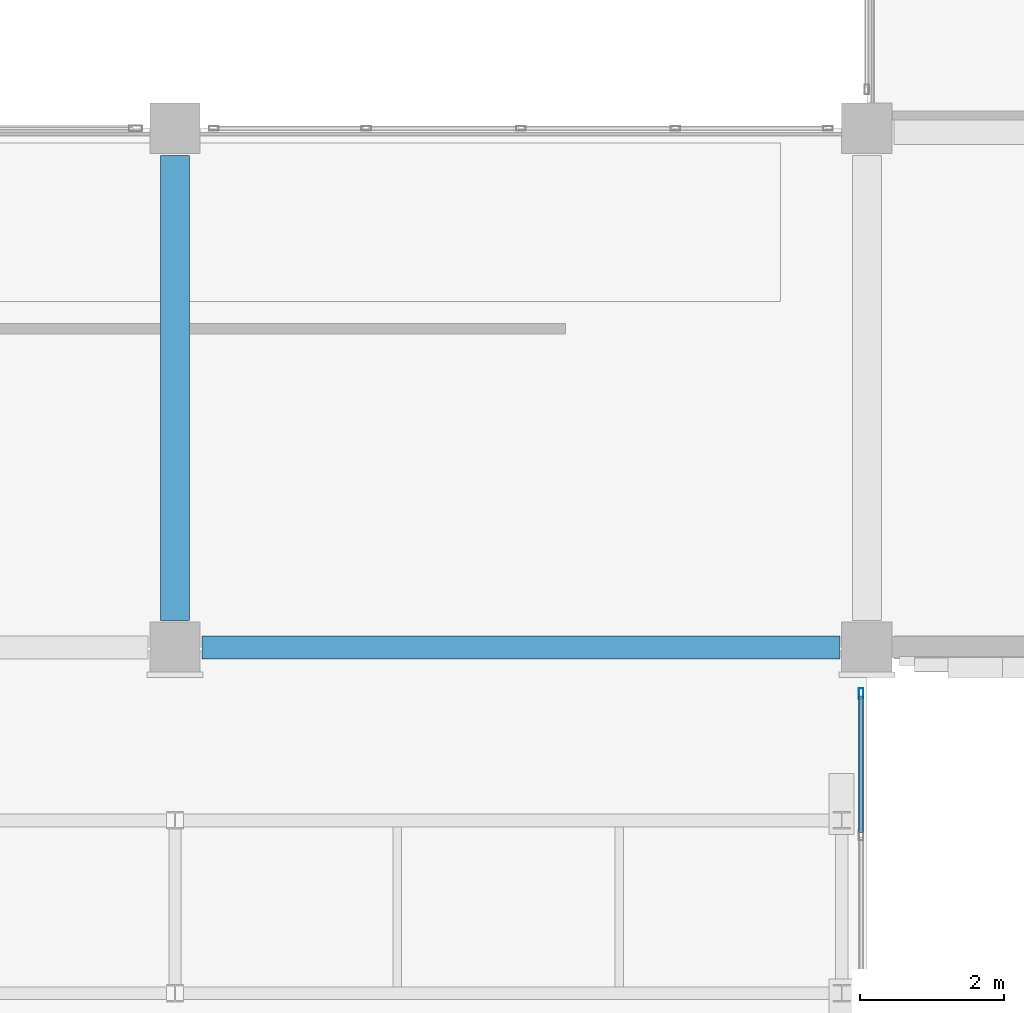
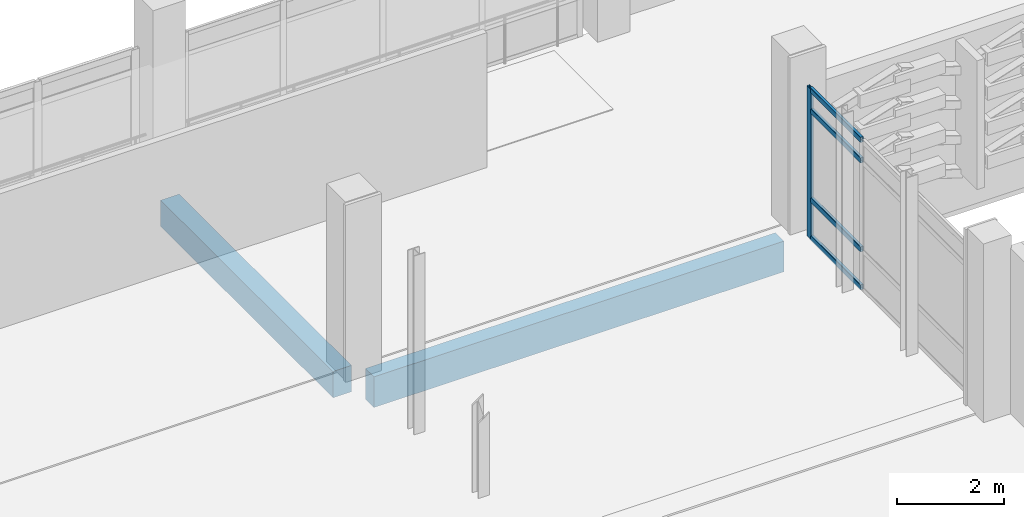
# One storey, part 39 of 134: 5 members, 2 beams, 1 element without a shape of its own.
"""IFC4 building model written with IfcOpenShell, lengths in metres."""

from ifc_helpers import new_model, si_unit, direction, frame, origin, origin_2d, place, context, subcontext, project, spatial, rectangle, hollow_rectangle, extrude, material, layer, layer_set, material_profile, profile_set, type_object, element, aggregate, save


model = new_model("IFC4")

# Units and contexts
model_context = context("Model", 3, precision=1e-05, world=origin(), true_north=direction((0.0, 1.0)))
body_context = subcontext(model_context, "Body", "Model", "MODEL_VIEW")
ifc_project = project(units=[si_unit("LENGTHUNIT", "METRE"), si_unit("AREAUNIT", "SQUARE_METRE"), si_unit("VOLUMEUNIT", "CUBIC_METRE"), si_unit("PLANEANGLEUNIT", "RADIAN"), si_unit("MASSUNIT", "GRAM", prefix="KILO")], contexts=[model_context])

# Site, building, storey
site_placement = place(None, origin())
site = spatial("IfcSite", under=ifc_project, at=site_placement, CompositionType="ELEMENT")
building_placement = place(site_placement, origin())
building = spatial("IfcBuilding", under=site, at=building_placement, Name="Asteropetra Specialist Clinic", CompositionType="ELEMENT")
storey_placement = place(building_placement, frame((0.0, 0.0, 8.5)))
storey = spatial("IfcBuildingStorey", under=building, at=storey_placement, Name="L02", CompositionType="ELEMENT", Elevation=8.5)

# Beam
ifc_material_1 = material(Name="Concrete C35/45", Category="concrete")
ifc_material_profile_1 = material_profile(ifc_material_1, rectangle(XDim=0.39990234375, YDim=0.60009765625, at=origin_2d()), Name="RCB 400x600")
ifc_profile_set_1 = profile_set([ifc_material_profile_1], Name="Concrete C35/45")
beam_type_1 = type_object("IfcBeamType", Name="BM-RC400x600", PredefinedType="BEAM", material=ifc_profile_set_1)
beam_1_placement = place(storey_placement, frame((19.199951171875, 69.97509765625, -0.580078125), z_axis=(0.0, 1.0, 0.0), x_axis=(-1.0, 0.0, 0.0)))
element("IfcBeam", 1, at=beam_1_placement, inside=storey, type_object=beam_type_1, Name="Beam BBM08-1272", PredefinedType="BEAM", context=body_context, shape_type="SweptSolid", body=[
    extrude(rectangle(XDim=0.39990234375, YDim=0.60009765625, at=origin_2d()), origin(), (0.0, 0.0, 1.0), 6.449951171875),
])

# Curtain wall, members
ifc_material_2 = material(Name="Aluminium and low-E glass", Category="aluminium")
ifc_layer = layer(ifc_material_2, 0.135009765625)
ifc_layer_set = layer_set([ifc_layer], Name="Aluminium and low-E glass")
curtain_wall_type = type_object("IfcCurtainWallType", Name="CW-SYS-09", PredefinedType="USERDEFINED", material=ifc_layer_set)
curtain_wall_placement = place(storey_placement, origin())
curtain_wall = element("IfcCurtainWall", 2, at=curtain_wall_placement, inside=storey, type_object=curtain_wall_type, Name="Curtain Wall CW-106", ObjectType="STICK GLAZED COLONNADE", PredefinedType="USERDEFINED")
ifc_material_3 = material(Name="Aluminium 6063-T6", Category="aluminium")
ifc_material_profile_2 = material_profile(ifc_material_3, hollow_rectangle(XDim=0.06494140625, YDim=0.14990234375, WallThickness=0.00390625, InnerFilletRadius=0.00390625, OuterFilletRadius=0.008056640625, at=origin_2d()), Name="MUL 150x65x4.0")
ifc_profile_set_2 = profile_set([ifc_material_profile_2], Name="Aluminium 6063-T6")
member_type_1 = type_object("IfcMemberType", Name="CWM-150x65", PredefinedType="MULLION", material=ifc_profile_set_2)
member_1_placement = place(storey_placement, frame((28.719970703125, 68.95751953125, 0.0), z_axis=(0.0, 0.0, 1.0), x_axis=(1.0, 0.0, 0.0)))
member_1 = element("IfcMember", 3, at=member_1_placement, type_object=member_type_1, Name="CW-106 mullion 1", PredefinedType="MULLION", context=body_context, shape_type="SweptSolid", body=[
    extrude(hollow_rectangle(XDim=0.06494140625, YDim=0.14990234375, WallThickness=0.00390625, InnerFilletRadius=0.00390625, OuterFilletRadius=0.008056640625, at=origin_2d()), origin(), (0.0, 0.0, 1.0), 3.429931640625),
])
ifc_material_4 = material(Name="Aluminium 6063-T6", Category="aluminium")
ifc_material_profile_3 = material_profile(ifc_material_4, hollow_rectangle(XDim=0.06494140625, YDim=0.1201171875, WallThickness=0.00390625, InnerFilletRadius=0.00390625, OuterFilletRadius=0.008056640625, at=origin_2d()), Name="TRN 120x65x4.0")
ifc_profile_set_3 = profile_set([ifc_material_profile_3], Name="Aluminium 6063-T6")
member_type_2 = type_object("IfcMemberType", Name="CWT-120x65", PredefinedType="USERDEFINED", material=ifc_profile_set_3)
member_2_placement = place(storey_placement, frame((28.719970703125, 68.925048828125, 0.032470703125), z_axis=(0.0, -1.0, 0.0), x_axis=(1.0, 0.0, 0.0)))
member_2 = element("IfcMember", 4, at=member_2_placement, type_object=member_type_2, Name="CW-106 transom 1.1", ObjectType="TRANSOM", PredefinedType="USERDEFINED", context=body_context, shape_type="SweptSolid", body=[
    extrude(hollow_rectangle(XDim=0.06494140625, YDim=0.1201171875, WallThickness=0.00390625, InnerFilletRadius=0.00390625, OuterFilletRadius=0.008056640625, at=origin_2d()), origin(), (0.0, 0.0, 1.0), 1.89599609375),
])
member_3_placement = place(storey_placement, frame((28.719970703125, 68.925048828125, 0.89990234375), z_axis=(0.0, -1.0, 0.0), x_axis=(1.0, 0.0, 0.0)))
member_3 = element("IfcMember", 5, at=member_3_placement, type_object=member_type_2, Name="CW-106 transom 1.2", ObjectType="TRANSOM", PredefinedType="USERDEFINED", context=body_context, shape_type="SweptSolid", body=[
    extrude(hollow_rectangle(XDim=0.06494140625, YDim=0.1201171875, WallThickness=0.00390625, InnerFilletRadius=0.00390625, OuterFilletRadius=0.008056640625, at=origin_2d()), origin(), (0.0, 0.0, 1.0), 1.89599609375),
])
member_4_placement = place(storey_placement, frame((28.719970703125, 68.925048828125, 2.929931640625), z_axis=(0.0, -1.0, 0.0), x_axis=(1.0, 0.0, 0.0)))
member_4 = element("IfcMember", 6, at=member_4_placement, type_object=member_type_2, Name="CW-106 transom 1.3", ObjectType="TRANSOM", PredefinedType="USERDEFINED", context=body_context, shape_type="SweptSolid", body=[
    extrude(hollow_rectangle(XDim=0.06494140625, YDim=0.1201171875, WallThickness=0.00390625, InnerFilletRadius=0.00390625, OuterFilletRadius=0.008056640625, at=origin_2d()), origin(), (0.0, 0.0, 1.0), 1.89599609375),
])
member_5_placement = place(storey_placement, frame((28.719970703125, 68.925048828125, 3.3974609375), z_axis=(0.0, -1.0, 0.0), x_axis=(1.0, 0.0, 0.0)))
member_5 = element("IfcMember", 7, at=member_5_placement, type_object=member_type_2, Name="CW-106 transom 1.4", ObjectType="TRANSOM", PredefinedType="USERDEFINED", context=body_context, shape_type="SweptSolid", body=[
    extrude(hollow_rectangle(XDim=0.06494140625, YDim=0.1201171875, WallThickness=0.00390625, InnerFilletRadius=0.00390625, OuterFilletRadius=0.008056640625, at=origin_2d()), origin(), (0.0, 0.0, 1.0), 1.89599609375),
])
aggregate(curtain_wall, [member_1, member_2, member_3, member_4, member_5])

# Beam
ifc_material_5 = material(Name="Concrete C35/45", Category="concrete")
ifc_material_profile_4 = material_profile(ifc_material_5, rectangle(XDim=0.320068359375, YDim=0.699951171875, at=origin_2d()), Name="RCS 320x700")
ifc_profile_set_4 = profile_set([ifc_material_profile_4], Name="Concrete C35/45")
beam_type_2 = type_object("IfcBeamType", Name="SPN-RC320x700", PredefinedType="SPANDREL", material=ifc_profile_set_4)
beam_2_placement = place(storey_placement, frame((19.574951171875, 69.60009765625, -0.6298828125), z_axis=(1.0, 0.0, 0.0), x_axis=(0.0, 1.0, 0.0)))
element("IfcBeam", 8, at=beam_2_placement, inside=storey, type_object=beam_type_2, Name="Beam BSPN02-1243", PredefinedType="SPANDREL", context=body_context, shape_type="SweptSolid", body=[
    extrude(rectangle(XDim=0.320068359375, YDim=0.699951171875, at=origin_2d()), origin(), (0.0, 0.0, 1.0), 8.85009765625),
])

save(model, "model.ifc")
